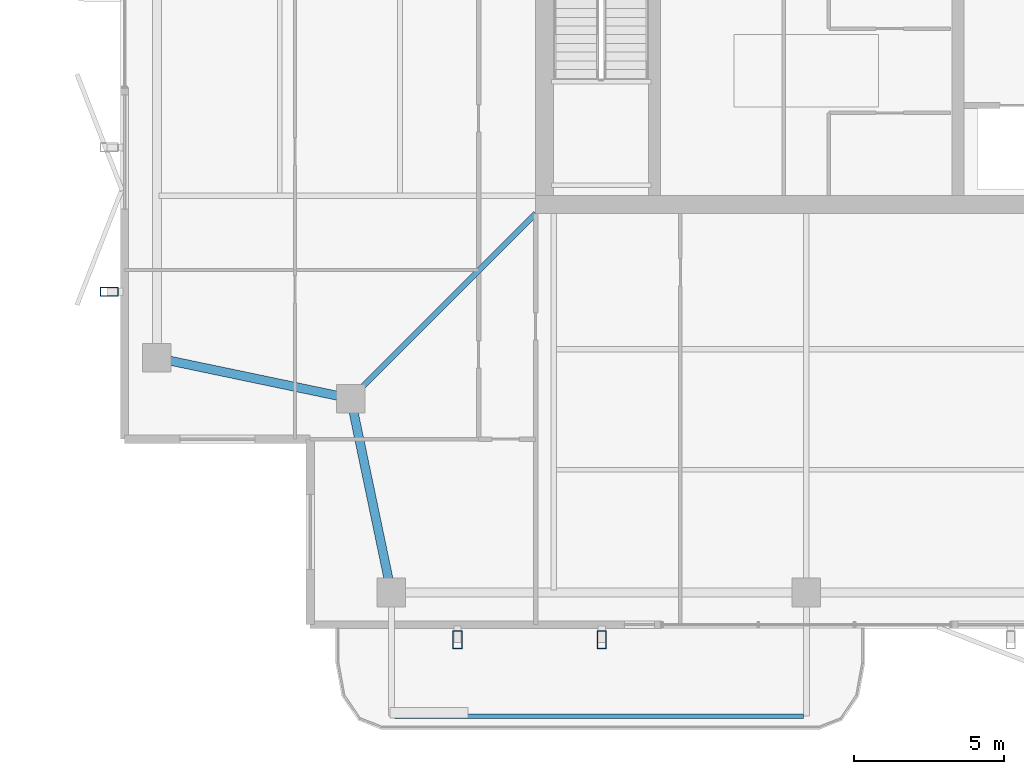
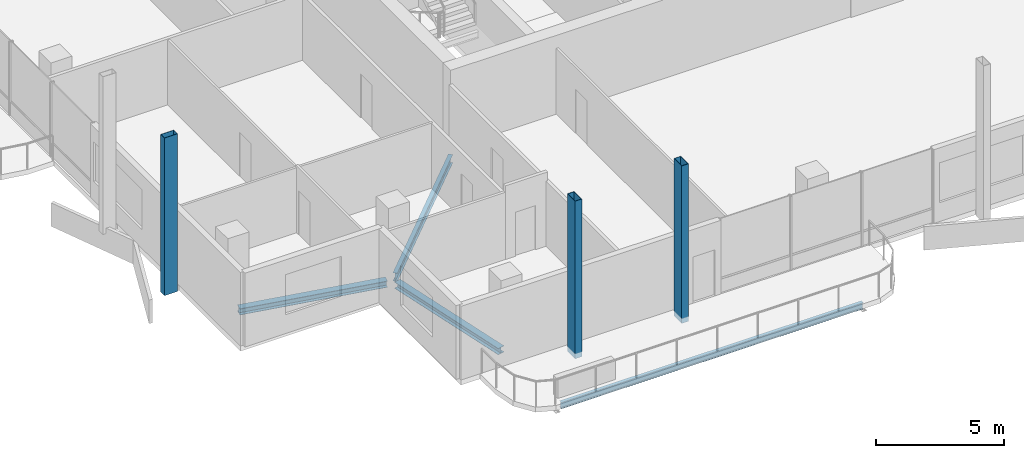
# One storey, part 2 of 20: 4 beams, 3 members.
"""IFC4 building model written with IfcOpenShell, lengths in metres."""

from ifc_helpers import new_model, si_unit, direction, frame, origin, origin_2d, place, context, subcontext, project, spatial, hollow_rectangle, i_section, extrude, material, material_profile, profile_set, type_object, element, save


model = new_model("IFC4")

# Units and contexts
model_context = context("Model", 3, precision=1e-05, world=origin(), true_north=direction((0.0, 1.0)))
body_context = subcontext(model_context, "Body", "Model", "MODEL_VIEW")
ifc_project = project(units=[si_unit("LENGTHUNIT", "METRE"), si_unit("AREAUNIT", "SQUARE_METRE"), si_unit("VOLUMEUNIT", "CUBIC_METRE"), si_unit("PLANEANGLEUNIT", "RADIAN"), si_unit("MASSUNIT", "GRAM", prefix="KILO")], contexts=[model_context])

# Site, building, storey
site_placement = place(None, origin())
site = spatial("IfcSite", under=ifc_project, at=site_placement, CompositionType="ELEMENT")
building_placement = place(site_placement, origin())
building = spatial("IfcBuilding", under=site, at=building_placement, Name="Belovzor Exchange Tower", CompositionType="ELEMENT")
storey_placement = place(building_placement, frame((0.0, 0.0, 314.25)))
storey = spatial("IfcBuildingStorey", under=building, at=storey_placement, Name="L78", CompositionType="ELEMENT", Elevation=314.25)

# Beam
ifc_material_1 = material(Name="Steel S355", Category="steel")
ifc_material_profile_1 = material_profile(ifc_material_1, i_section(OverallWidth=0.14990234375, OverallDepth=0.300048828125, WebThickness=0.007080078125, FlangeThickness=0.0107421875, at=origin_2d()))
ifc_profile_set_1 = profile_set([ifc_material_profile_1], Name="Steel S355")
beam_type_1 = type_object("IfcBeamType", Name="Planted Balcony Fascia Edge Beam IPE 300", PredefinedType="BEAM", material=ifc_profile_set_1)
beam_1_placement = place(storey_placement, frame((15.10009765625, 3.089111328125, -0.389892578125), z_axis=(1.0, 0.0, 0.0), x_axis=(0.0, 1.0, 0.0)))
element("IfcBeam", 1, at=beam_1_placement, inside=storey, type_object=beam_type_1, Name="BC-300 Planted Balcony Fascia Edge Beam IPE 300", PredefinedType="BEAM", context=body_context, shape_type="SweptSolid", body=[
    extrude(i_section(OverallWidth=0.14990234375, OverallDepth=0.300048828125, WebThickness=0.007080078125, FlangeThickness=0.0107421875, at=origin_2d()), origin(), (0.0, 0.0, 1.0), 13.599853515625),
])

# Members
ifc_material_2 = material(Name="Extruded Architectural Terracotta on Steel S355 Carrier", Category="masonry")
ifc_material_profile_2 = material_profile(ifc_material_2, hollow_rectangle(XDim=0.300048828125, YDim=0.60009765625, WallThickness=0.01611328125, at=origin_2d()))
ifc_profile_set_2 = profile_set([ifc_material_profile_2], Name="Extruded Architectural Terracotta on Steel S355 Carrier")
member_type = type_object("IfcMemberType", Name="Upper Crown Terracotta Fin Assembly 550", PredefinedType="USERDEFINED", material=ifc_profile_set_2)
for number, where, z_axis, x_axis, name in (
    (2, (17.199951171875, 5.625, -0.239990234375), (0.0, 0.0, 1.0), (1.0, 0.0, 0.0), "FIN-TC055 Terracotta Facade Fin L78 S1"),
    (3, (5.625, 17.199951171875, -0.239990234375), (0.0, 0.0, 1.0), (0.0, 1.0, 0.0), "FIN-TC055 Terracotta Facade Fin L78 W1"),
    (4, (22.0, 5.625, -0.239990234375), (0.0, 0.0, 1.0), (1.0, 0.0, 0.0), "FIN-TC055 Terracotta Facade Fin L78 S2"),
):
    element("IfcMember", number, at=place(storey_placement, frame(where, z_axis=z_axis, x_axis=x_axis)), inside=storey, type_object=member_type, Name=name, ObjectType="FIN", PredefinedType="USERDEFINED", context=body_context, shape_type="SweptSolid", body=[
        extrude(hollow_rectangle(XDim=0.300048828125, YDim=0.60009765625, WallThickness=0.01611328125, at=origin_2d()), origin(), (0.0, 0.0, 1.0), 7.5),
    ])

# Beams
ifc_material_3 = material(Name="Steel S355", Category="steel")
ifc_material_profile_3 = material_profile(ifc_material_3, i_section(OverallWidth=0.179931640625, OverallDepth=0.39990234375, WebThickness=0.008544921875, FlangeThickness=0.013427734375, at=origin_2d()))
ifc_profile_set_3 = profile_set([ifc_material_profile_3], Name="Steel S355")
beam_type_2 = type_object("IfcBeamType", Name="Zone 5-6 Radial Composite Floor Beam IPE 400", PredefinedType="BEAM", material=ifc_profile_set_3)
beam_2_placement = place(storey_placement, frame((19.800048828125, 19.800048828125, -0.43994140625), z_axis=(-0.707106781187, -0.707106781187, 0.0), x_axis=(0.707106781187, -0.707106781187, 0.0)))
element("IfcBeam", 5, at=beam_2_placement, inside=storey, type_object=beam_type_2, Name="FB-400 Zone 5-6 Radial Composite Floor Beam IPE 400", PredefinedType="BEAM", context=body_context, shape_type="SweptSolid", body=[
    extrude(i_section(OverallWidth=0.179931640625, OverallDepth=0.39990234375, WebThickness=0.008544921875, FlangeThickness=0.013427734375, at=origin_2d()), origin(), (0.0, 0.0, 1.0), 8.361083984375),
])
ifc_material_4 = material(Name="Steel S355", Category="steel")
ifc_material_profile_4 = material_profile(ifc_material_4, i_section(OverallWidth=0.300048828125, OverallDepth=0.300048828125, WebThickness=0.008544921875, FlangeThickness=0.013916015625, at=origin_2d()))
ifc_profile_set_4 = profile_set([ifc_material_profile_4], Name="Steel S355")
beam_type_3 = type_object("IfcBeamType", Name="Zone 6 Primary Girder HEA 300", PredefinedType="BEAM", material=ifc_profile_set_4)
for number, where, z_axis, x_axis, name in (
    (6, (13.7041015625, 13.39404296875, -0.389892578125), (0.204722380619, -0.978820078908, 0.0), (0.978820078908, 0.204722380619, 0.0), "FG-Z6 Zone 6 Primary Girder HEA 300"),
    (7, (7.4560546875, 14.946044921875, -0.389892578125), (0.978820078908, -0.204722380619, 0.0), (0.204722380619, 0.978820078908, 0.0), "FG-Z6 Zone 6 Primary Girder HEA 300"),
):
    element("IfcBeam", number, at=place(storey_placement, frame(where, z_axis=z_axis, x_axis=x_axis)), inside=storey, type_object=beam_type_3, Name=name, PredefinedType="BEAM", context=body_context, shape_type="SweptSolid", body=[
        extrude(i_section(OverallWidth=0.300048828125, OverallDepth=0.300048828125, WebThickness=0.008544921875, FlangeThickness=0.013916015625, at=origin_2d()), origin(), (0.0, 0.0, 1.0), 6.06640625),
    ])

save(model, "model.ifc")
